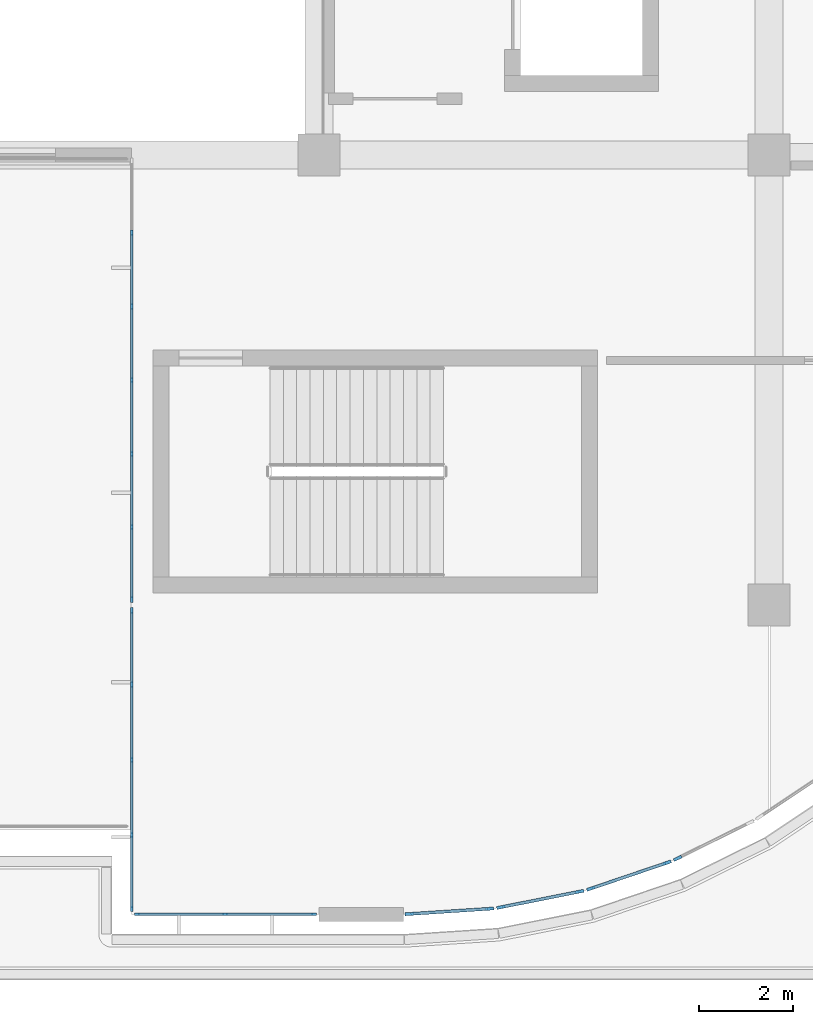
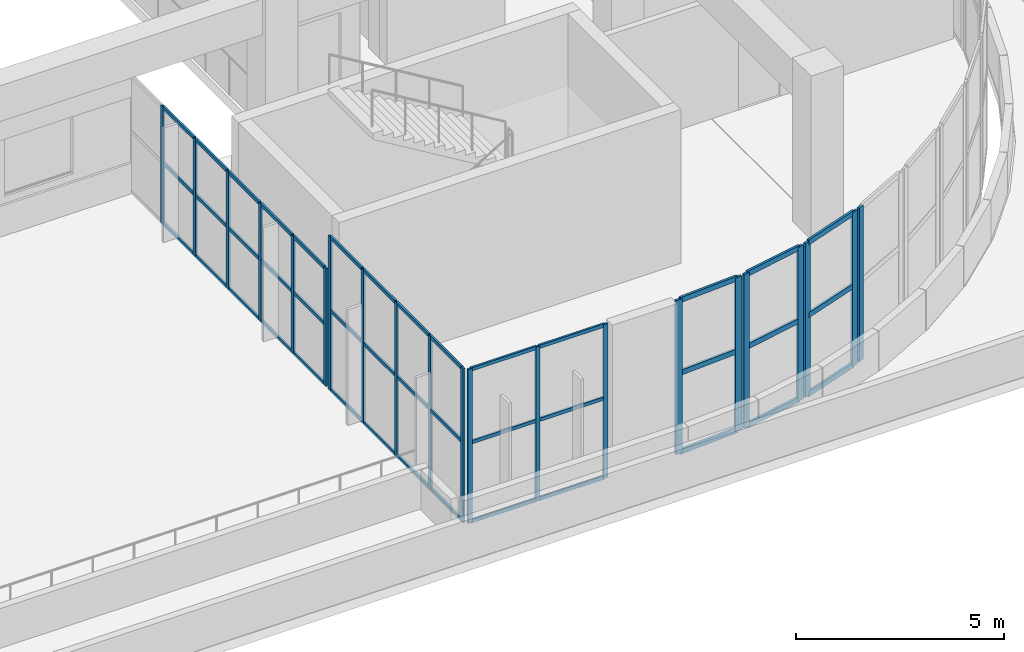
# One storey, part 6 of 96: 63 members, 7 elements without a shape of their own.
"""IFC4 building model written with IfcOpenShell, lengths in metres."""

from ifc_helpers import new_model, si_unit, direction, frame, origin, origin_2d, place, context, subcontext, project, spatial, rectangle, extrude, material, layer, layer_set, material_profile, profile_set, type_object, element, aggregate, save


model = new_model("IFC4")

# Units and contexts
model_context = context("Model", 3, precision=1e-05, world=origin(), true_north=direction((0.0, 1.0)))
body_context = subcontext(model_context, "Body", "Model", "MODEL_VIEW")
ifc_project = project(units=[si_unit("LENGTHUNIT", "METRE"), si_unit("AREAUNIT", "SQUARE_METRE"), si_unit("VOLUMEUNIT", "CUBIC_METRE"), si_unit("PLANEANGLEUNIT", "RADIAN"), si_unit("MASSUNIT", "GRAM", prefix="KILO")], contexts=[model_context])

# Site, building, storey
site_placement = place(None, origin())
site = spatial("IfcSite", under=ifc_project, at=site_placement, CompositionType="ELEMENT")
building_placement = place(site_placement, origin())
building = spatial("IfcBuilding", under=site, at=building_placement, Name="Cendralis Terraced Arcade", CompositionType="ELEMENT")
storey_placement = place(building_placement, frame((0.0, 0.0, 10.199951171875)))
storey = spatial("IfcBuildingStorey", under=building, at=storey_placement, Name="L02", CompositionType="ELEMENT", Elevation=10.199951171875)

# Curtain wall, members
ifc_material = material(Name="Anodised aluminium EN AW-6063 T6", Category="aluminium")
ifc_layer_1 = layer(ifc_material, 0.1201171875, Name="CW-STORE-B")
ifc_layer_set_1 = layer_set([ifc_layer_1], Name="Anodised aluminium EN AW-6063 T6")
curtain_wall_type_1 = type_object("IfcCurtainWallType", Name="CW-STORE-B", PredefinedType="USERDEFINED", material=ifc_layer_set_1)
curtain_wall_1_placement = place(storey_placement, origin())
curtain_wall_1 = element("IfcCurtainWall", 1, at=curtain_wall_1_placement, inside=storey, type_object=curtain_wall_type_1, Name="Exterior Storefront Glazing CW-L02-0204", ObjectType="STOREFRONT GLAZING", PredefinedType="USERDEFINED")
ifc_material_profile_1 = material_profile(ifc_material, rectangle(XDim=0.054931640625, YDim=0.1201171875, at=origin_2d()), Name="ALU-MUL-55x120")
ifc_profile_set_1 = profile_set([ifc_material_profile_1], Name="Anodised aluminium EN AW-6063 T6")
member_type_1 = type_object("IfcMemberType", Name="CW-STORE-B-MUL", PredefinedType="MULLION", material=ifc_profile_set_1)
member_1_placement = place(storey_placement, frame((47.882568359375, 3.0, 0.0), z_axis=(0.0, 0.0, 1.0), x_axis=(0.0, -1.0, 0.0)))
member_1 = element("IfcMember", 2, at=member_1_placement, type_object=member_type_1, Name="CW-S2 mullion 1", PredefinedType="MULLION", context=body_context, shape_type="SweptSolid", body=[
    extrude(rectangle(XDim=0.054931640625, YDim=0.1201171875, at=origin_2d()), origin(), (0.0, 0.0, 1.0), 4.51513671875),
])
member_2_placement = place(storey_placement, frame((46.0, 3.0, 0.0), z_axis=(0.0, 0.0, 1.0), x_axis=(0.0, -1.0, 0.0)))
member_2 = element("IfcMember", 3, at=member_2_placement, type_object=member_type_1, Name="CW-S2 mullion 2", PredefinedType="MULLION", context=body_context, shape_type="SweptSolid", body=[
    extrude(rectangle(XDim=0.054931640625, YDim=0.1201171875, at=origin_2d()), origin(), (0.0, 0.0, 1.0), 4.51513671875),
])
member_3_placement = place(storey_placement, frame((44.117431640625, 3.0, 0.0), z_axis=(0.0, 0.0, 1.0), x_axis=(0.0, -1.0, 0.0)))
member_3 = element("IfcMember", 4, at=member_3_placement, type_object=member_type_1, Name="CW-S2 mullion 3", PredefinedType="MULLION", context=body_context, shape_type="SweptSolid", body=[
    extrude(rectangle(XDim=0.054931640625, YDim=0.1201171875, at=origin_2d()), origin(), (0.0, 0.0, 1.0), 4.51513671875),
])

curtain_wall_2_placement = place(storey_placement, origin())
curtain_wall_2 = element("IfcCurtainWall", 5, at=curtain_wall_2_placement, inside=storey, type_object=curtain_wall_type_1, Name="Exterior Storefront Glazing CW-L02-0205", ObjectType="STOREFRONT GLAZING", PredefinedType="USERDEFINED")
member_4_placement = place(storey_placement, frame((44.0, 3.117431640625, 0.0), z_axis=(0.0, 0.0, 1.0), x_axis=(-1.0, 0.0, 0.0)))
member_4 = element("IfcMember", 6, at=member_4_placement, type_object=member_type_1, Name="CW-S2 mullion 1", PredefinedType="MULLION", context=body_context, shape_type="SweptSolid", body=[
    extrude(rectangle(XDim=0.054931640625, YDim=0.1201171875, at=origin_2d()), origin(), (0.0, 0.0, 1.0), 4.51513671875),
])
member_5_placement = place(storey_placement, frame((44.0, 4.695068359375, 0.0), z_axis=(0.0, 0.0, 1.0), x_axis=(-1.0, 0.0, 0.0)))
member_5 = element("IfcMember", 7, at=member_5_placement, type_object=member_type_1, Name="CW-S2 mullion 2", PredefinedType="MULLION", context=body_context, shape_type="SweptSolid", body=[
    extrude(rectangle(XDim=0.054931640625, YDim=0.1201171875, at=origin_2d()), origin(), (0.0, 0.0, 1.0), 4.51513671875),
])
member_6_placement = place(storey_placement, frame((44.0, 6.300048828125, 0.0), z_axis=(0.0, 0.0, 1.0), x_axis=(-1.0, 0.0, 0.0)))
member_6 = element("IfcMember", 8, at=member_6_placement, type_object=member_type_1, Name="CW-S2 mullion 3", PredefinedType="MULLION", context=body_context, shape_type="SweptSolid", body=[
    extrude(rectangle(XDim=0.054931640625, YDim=0.1201171875, at=origin_2d()), origin(), (0.0, 0.0, 1.0), 4.51513671875),
])
member_7_placement = place(storey_placement, frame((44.0, 7.905029296875, 0.0), z_axis=(0.0, 0.0, 1.0), x_axis=(-1.0, 0.0, 0.0)))
member_7 = element("IfcMember", 9, at=member_7_placement, type_object=member_type_1, Name="CW-S2 mullion 4", PredefinedType="MULLION", context=body_context, shape_type="SweptSolid", body=[
    extrude(rectangle(XDim=0.054931640625, YDim=0.1201171875, at=origin_2d()), origin(), (0.0, 0.0, 1.0), 4.51513671875),
])
member_8_placement = place(storey_placement, frame((44.0, 9.482421875, 0.0), z_axis=(0.0, 0.0, 1.0), x_axis=(-1.0, 0.0, 0.0)))
member_8 = element("IfcMember", 10, at=member_8_placement, type_object=member_type_1, Name="CW-S2 mullion 5", PredefinedType="MULLION", context=body_context, shape_type="SweptSolid", body=[
    extrude(rectangle(XDim=0.054931640625, YDim=0.1201171875, at=origin_2d()), origin(), (0.0, 0.0, 1.0), 4.51513671875),
])

curtain_wall_3_placement = place(storey_placement, origin())
curtain_wall_3 = element("IfcCurtainWall", 11, at=curtain_wall_3_placement, inside=storey, type_object=curtain_wall_type_1, Name="Exterior Storefront Glazing CW-L02-0206", ObjectType="STOREFRONT GLAZING", PredefinedType="USERDEFINED")
member_9_placement = place(storey_placement, frame((44.0, 9.717529296875, 0.0), z_axis=(0.0, 0.0, 1.0), x_axis=(-1.0, 0.0, 0.0)))
member_9 = element("IfcMember", 12, at=member_9_placement, type_object=member_type_1, Name="CW-S2 mullion 1", PredefinedType="MULLION", context=body_context, shape_type="SweptSolid", body=[
    extrude(rectangle(XDim=0.054931640625, YDim=0.1201171875, at=origin_2d()), origin(), (0.0, 0.0, 1.0), 3.455078125),
])
member_10_placement = place(storey_placement, frame((44.0, 11.260009765625, 0.0), z_axis=(0.0, 0.0, 1.0), x_axis=(-1.0, 0.0, 0.0)))
member_10 = element("IfcMember", 13, at=member_10_placement, type_object=member_type_1, Name="CW-S2 mullion 2", PredefinedType="MULLION", context=body_context, shape_type="SweptSolid", body=[
    extrude(rectangle(XDim=0.054931640625, YDim=0.1201171875, at=origin_2d()), origin(), (0.0, 0.0, 1.0), 3.455078125),
])
member_11_placement = place(storey_placement, frame((44.0, 12.830078125, 0.0), z_axis=(0.0, 0.0, 1.0), x_axis=(-1.0, 0.0, 0.0)))
member_11 = element("IfcMember", 14, at=member_11_placement, type_object=member_type_1, Name="CW-S2 mullion 3", PredefinedType="MULLION", context=body_context, shape_type="SweptSolid", body=[
    extrude(rectangle(XDim=0.054931640625, YDim=0.1201171875, at=origin_2d()), origin(), (0.0, 0.0, 1.0), 3.455078125),
])
member_12_placement = place(storey_placement, frame((44.0, 14.39990234375, 0.0), z_axis=(0.0, 0.0, 1.0), x_axis=(-1.0, 0.0, 0.0)))
member_12 = element("IfcMember", 15, at=member_12_placement, type_object=member_type_1, Name="CW-S2 mullion 4", PredefinedType="MULLION", context=body_context, shape_type="SweptSolid", body=[
    extrude(rectangle(XDim=0.054931640625, YDim=0.1201171875, at=origin_2d()), origin(), (0.0, 0.0, 1.0), 3.455078125),
])
member_13_placement = place(storey_placement, frame((44.0, 15.969970703125, 0.0), z_axis=(0.0, 0.0, 1.0), x_axis=(-1.0, 0.0, 0.0)))
member_13 = element("IfcMember", 16, at=member_13_placement, type_object=member_type_1, Name="CW-S2 mullion 5", PredefinedType="MULLION", context=body_context, shape_type="SweptSolid", body=[
    extrude(rectangle(XDim=0.054931640625, YDim=0.1201171875, at=origin_2d()), origin(), (0.0, 0.0, 1.0), 3.455078125),
])
member_14_placement = place(storey_placement, frame((44.0, 17.5400390625, 0.0), z_axis=(0.0, 0.0, 1.0), x_axis=(-1.0, 0.0, 0.0)))
member_14 = element("IfcMember", 17, at=member_14_placement, type_object=member_type_1, Name="CW-S2 mullion 6", PredefinedType="MULLION", context=body_context, shape_type="SweptSolid", body=[
    extrude(rectangle(XDim=0.054931640625, YDim=0.1201171875, at=origin_2d()), origin(), (0.0, 0.0, 1.0), 3.455078125),
])

# Member
ifc_material_profile_2 = material_profile(ifc_material, rectangle(XDim=0.054931640625, YDim=0.10009765625, at=origin_2d()), Name="ALU-TRN-55x100")
ifc_profile_set_2 = profile_set([ifc_material_profile_2], Name="Anodised aluminium EN AW-6063 T6")
member_type_2 = type_object("IfcMemberType", Name="CW-STORE-B-TRN", PredefinedType="USERDEFINED", material=ifc_profile_set_2)
member_15_placement = place(storey_placement, frame((47.85498046875, 3.0, 0.027587890625), z_axis=(-1.0, 0.0, 0.0), x_axis=(0.0, -1.0, 0.0)))
member_15 = element("IfcMember", 18, at=member_15_placement, type_object=member_type_2, Name="CW-S2 transom 1.1", ObjectType="TRANSOM", PredefinedType="USERDEFINED", context=body_context, shape_type="SweptSolid", body=[
    extrude(rectangle(XDim=0.054931640625, YDim=0.10009765625, at=origin_2d()), origin(), (0.0, 0.0, 1.0), 1.827392578125),
])

member_16_placement = place(storey_placement, frame((47.85498046875, 3.0, 2.347900390625), z_axis=(-1.0, 0.0, 0.0), x_axis=(0.0, -1.0, 0.0)))
member_16 = element("IfcMember", 19, at=member_16_placement, type_object=member_type_2, Name="CW-S2 transom 1.2", ObjectType="TRANSOM", PredefinedType="USERDEFINED", context=body_context, shape_type="SweptSolid", body=[
    extrude(rectangle(XDim=0.054931640625, YDim=0.10009765625, at=origin_2d()), origin(), (0.0, 0.0, 1.0), 1.827392578125),
])

member_17_placement = place(storey_placement, frame((47.85498046875, 3.0, 4.487548828125), z_axis=(-1.0, 0.0, 0.0), x_axis=(0.0, -1.0, 0.0)))
member_17 = element("IfcMember", 20, at=member_17_placement, type_object=member_type_2, Name="CW-S2 transom 1.3", ObjectType="TRANSOM", PredefinedType="USERDEFINED", context=body_context, shape_type="SweptSolid", body=[
    extrude(rectangle(XDim=0.054931640625, YDim=0.10009765625, at=origin_2d()), origin(), (0.0, 0.0, 1.0), 1.827392578125),
])

member_18_placement = place(storey_placement, frame((45.972412109375, 3.0, 0.027587890625), z_axis=(-1.0, 0.0, 0.0), x_axis=(0.0, -1.0, 0.0)))
member_18 = element("IfcMember", 21, at=member_18_placement, type_object=member_type_2, Name="CW-S2 transom 2.1", ObjectType="TRANSOM", PredefinedType="USERDEFINED", context=body_context, shape_type="SweptSolid", body=[
    extrude(rectangle(XDim=0.054931640625, YDim=0.10009765625, at=origin_2d()), origin(), (0.0, 0.0, 1.0), 1.827392578125),
])

member_19_placement = place(storey_placement, frame((45.972412109375, 3.0, 2.347900390625), z_axis=(-1.0, 0.0, 0.0), x_axis=(0.0, -1.0, 0.0)))
member_19 = element("IfcMember", 22, at=member_19_placement, type_object=member_type_2, Name="CW-S2 transom 2.2", ObjectType="TRANSOM", PredefinedType="USERDEFINED", context=body_context, shape_type="SweptSolid", body=[
    extrude(rectangle(XDim=0.054931640625, YDim=0.10009765625, at=origin_2d()), origin(), (0.0, 0.0, 1.0), 1.827392578125),
])

member_20_placement = place(storey_placement, frame((45.972412109375, 3.0, 4.487548828125), z_axis=(-1.0, 0.0, 0.0), x_axis=(0.0, -1.0, 0.0)))
member_20 = element("IfcMember", 23, at=member_20_placement, type_object=member_type_2, Name="CW-S2 transom 2.3", ObjectType="TRANSOM", PredefinedType="USERDEFINED", context=body_context, shape_type="SweptSolid", body=[
    extrude(rectangle(XDim=0.054931640625, YDim=0.10009765625, at=origin_2d()), origin(), (0.0, 0.0, 1.0), 1.827392578125),
])

aggregate(curtain_wall_1, [member_1, member_2, member_3, member_15, member_16, member_17, member_18, member_19, member_20])

member_21_placement = place(storey_placement, frame((44.0, 3.14501953125, 0.027587890625), z_axis=(0.0, 1.0, 0.0), x_axis=(-1.0, 0.0, 0.0)))
member_21 = element("IfcMember", 24, at=member_21_placement, type_object=member_type_2, Name="CW-S2 transom 1.1", ObjectType="TRANSOM", PredefinedType="USERDEFINED", context=body_context, shape_type="SweptSolid", body=[
    extrude(rectangle(XDim=0.054931640625, YDim=0.10009765625, at=origin_2d()), origin(), (0.0, 0.0, 1.0), 1.5224609375),
])

member_22_placement = place(storey_placement, frame((44.0, 3.14501953125, 2.347900390625), z_axis=(0.0, 1.0, 0.0), x_axis=(-1.0, 0.0, 0.0)))
member_22 = element("IfcMember", 25, at=member_22_placement, type_object=member_type_2, Name="CW-S2 transom 1.2", ObjectType="TRANSOM", PredefinedType="USERDEFINED", context=body_context, shape_type="SweptSolid", body=[
    extrude(rectangle(XDim=0.054931640625, YDim=0.10009765625, at=origin_2d()), origin(), (0.0, 0.0, 1.0), 1.5224609375),
])

member_23_placement = place(storey_placement, frame((44.0, 3.14501953125, 4.487548828125), z_axis=(0.0, 1.0, 0.0), x_axis=(-1.0, 0.0, 0.0)))
member_23 = element("IfcMember", 26, at=member_23_placement, type_object=member_type_2, Name="CW-S2 transom 1.3", ObjectType="TRANSOM", PredefinedType="USERDEFINED", context=body_context, shape_type="SweptSolid", body=[
    extrude(rectangle(XDim=0.054931640625, YDim=0.10009765625, at=origin_2d()), origin(), (0.0, 0.0, 1.0), 1.5224609375),
])

member_24_placement = place(storey_placement, frame((44.0, 4.722412109375, 0.027587890625), z_axis=(0.0, 1.0, 0.0), x_axis=(-1.0, 0.0, 0.0)))
member_24 = element("IfcMember", 27, at=member_24_placement, type_object=member_type_2, Name="CW-S2 transom 2.1", ObjectType="TRANSOM", PredefinedType="USERDEFINED", context=body_context, shape_type="SweptSolid", body=[
    extrude(rectangle(XDim=0.054931640625, YDim=0.10009765625, at=origin_2d()), origin(), (0.0, 0.0, 1.0), 1.550048828125),
])

member_25_placement = place(storey_placement, frame((44.0, 4.722412109375, 2.347900390625), z_axis=(0.0, 1.0, 0.0), x_axis=(-1.0, 0.0, 0.0)))
member_25 = element("IfcMember", 28, at=member_25_placement, type_object=member_type_2, Name="CW-S2 transom 2.2", ObjectType="TRANSOM", PredefinedType="USERDEFINED", context=body_context, shape_type="SweptSolid", body=[
    extrude(rectangle(XDim=0.054931640625, YDim=0.10009765625, at=origin_2d()), origin(), (0.0, 0.0, 1.0), 1.550048828125),
])

member_26_placement = place(storey_placement, frame((44.0, 4.722412109375, 4.487548828125), z_axis=(0.0, 1.0, 0.0), x_axis=(-1.0, 0.0, 0.0)))
member_26 = element("IfcMember", 29, at=member_26_placement, type_object=member_type_2, Name="CW-S2 transom 2.3", ObjectType="TRANSOM", PredefinedType="USERDEFINED", context=body_context, shape_type="SweptSolid", body=[
    extrude(rectangle(XDim=0.054931640625, YDim=0.10009765625, at=origin_2d()), origin(), (0.0, 0.0, 1.0), 1.550048828125),
])

member_27_placement = place(storey_placement, frame((44.0, 6.327392578125, 0.027587890625), z_axis=(0.0, 1.0, 0.0), x_axis=(-1.0, 0.0, 0.0)))
member_27 = element("IfcMember", 30, at=member_27_placement, type_object=member_type_2, Name="CW-S2 transom 3.1", ObjectType="TRANSOM", PredefinedType="USERDEFINED", context=body_context, shape_type="SweptSolid", body=[
    extrude(rectangle(XDim=0.054931640625, YDim=0.10009765625, at=origin_2d()), origin(), (0.0, 0.0, 1.0), 1.550048828125),
])

member_28_placement = place(storey_placement, frame((44.0, 6.327392578125, 2.347900390625), z_axis=(0.0, 1.0, 0.0), x_axis=(-1.0, 0.0, 0.0)))
member_28 = element("IfcMember", 31, at=member_28_placement, type_object=member_type_2, Name="CW-S2 transom 3.2", ObjectType="TRANSOM", PredefinedType="USERDEFINED", context=body_context, shape_type="SweptSolid", body=[
    extrude(rectangle(XDim=0.054931640625, YDim=0.10009765625, at=origin_2d()), origin(), (0.0, 0.0, 1.0), 1.550048828125),
])

member_29_placement = place(storey_placement, frame((44.0, 6.327392578125, 4.487548828125), z_axis=(0.0, 1.0, 0.0), x_axis=(-1.0, 0.0, 0.0)))
member_29 = element("IfcMember", 32, at=member_29_placement, type_object=member_type_2, Name="CW-S2 transom 3.3", ObjectType="TRANSOM", PredefinedType="USERDEFINED", context=body_context, shape_type="SweptSolid", body=[
    extrude(rectangle(XDim=0.054931640625, YDim=0.10009765625, at=origin_2d()), origin(), (0.0, 0.0, 1.0), 1.550048828125),
])

member_30_placement = place(storey_placement, frame((44.0, 7.9326171875, 0.027587890625), z_axis=(0.0, 1.0, 0.0), x_axis=(-1.0, 0.0, 0.0)))
member_30 = element("IfcMember", 33, at=member_30_placement, type_object=member_type_2, Name="CW-S2 transom 4.1", ObjectType="TRANSOM", PredefinedType="USERDEFINED", context=body_context, shape_type="SweptSolid", body=[
    extrude(rectangle(XDim=0.054931640625, YDim=0.10009765625, at=origin_2d()), origin(), (0.0, 0.0, 1.0), 1.5224609375),
])

member_31_placement = place(storey_placement, frame((44.0, 7.9326171875, 2.347900390625), z_axis=(0.0, 1.0, 0.0), x_axis=(-1.0, 0.0, 0.0)))
member_31 = element("IfcMember", 34, at=member_31_placement, type_object=member_type_2, Name="CW-S2 transom 4.2", ObjectType="TRANSOM", PredefinedType="USERDEFINED", context=body_context, shape_type="SweptSolid", body=[
    extrude(rectangle(XDim=0.054931640625, YDim=0.10009765625, at=origin_2d()), origin(), (0.0, 0.0, 1.0), 1.5224609375),
])

member_32_placement = place(storey_placement, frame((44.0, 7.9326171875, 4.487548828125), z_axis=(0.0, 1.0, 0.0), x_axis=(-1.0, 0.0, 0.0)))
member_32 = element("IfcMember", 35, at=member_32_placement, type_object=member_type_2, Name="CW-S2 transom 4.3", ObjectType="TRANSOM", PredefinedType="USERDEFINED", context=body_context, shape_type="SweptSolid", body=[
    extrude(rectangle(XDim=0.054931640625, YDim=0.10009765625, at=origin_2d()), origin(), (0.0, 0.0, 1.0), 1.5224609375),
])

aggregate(curtain_wall_2, [member_4, member_5, member_6, member_7, member_8, member_21, member_22, member_23, member_24, member_25, member_26, member_27, member_28, member_29, member_30, member_31, member_32])

member_33_placement = place(storey_placement, frame((44.0, 9.7451171875, 0.027587890625), z_axis=(0.0, 1.0, 0.0), x_axis=(-1.0, 0.0, 0.0)))
member_33 = element("IfcMember", 36, at=member_33_placement, type_object=member_type_2, Name="CW-S2 transom 1.1", ObjectType="TRANSOM", PredefinedType="USERDEFINED", context=body_context, shape_type="SweptSolid", body=[
    extrude(rectangle(XDim=0.054931640625, YDim=0.10009765625, at=origin_2d()), origin(), (0.0, 0.0, 1.0), 1.4873046875),
])

member_34_placement = place(storey_placement, frame((44.0, 9.7451171875, 1.796630859375), z_axis=(0.0, 1.0, 0.0), x_axis=(-1.0, 0.0, 0.0)))
member_34 = element("IfcMember", 37, at=member_34_placement, type_object=member_type_2, Name="CW-S2 transom 1.2", ObjectType="TRANSOM", PredefinedType="USERDEFINED", context=body_context, shape_type="SweptSolid", body=[
    extrude(rectangle(XDim=0.054931640625, YDim=0.10009765625, at=origin_2d()), origin(), (0.0, 0.0, 1.0), 1.4873046875),
])

member_35_placement = place(storey_placement, frame((44.0, 9.7451171875, 3.427490234375), z_axis=(0.0, 1.0, 0.0), x_axis=(-1.0, 0.0, 0.0)))
member_35 = element("IfcMember", 38, at=member_35_placement, type_object=member_type_2, Name="CW-S2 transom 1.3", ObjectType="TRANSOM", PredefinedType="USERDEFINED", context=body_context, shape_type="SweptSolid", body=[
    extrude(rectangle(XDim=0.054931640625, YDim=0.10009765625, at=origin_2d()), origin(), (0.0, 0.0, 1.0), 1.4873046875),
])

member_36_placement = place(storey_placement, frame((44.0, 11.28759765625, 0.027587890625), z_axis=(0.0, 1.0, 0.0), x_axis=(-1.0, 0.0, 0.0)))
member_36 = element("IfcMember", 39, at=member_36_placement, type_object=member_type_2, Name="CW-S2 transom 2.1", ObjectType="TRANSOM", PredefinedType="USERDEFINED", context=body_context, shape_type="SweptSolid", body=[
    extrude(rectangle(XDim=0.054931640625, YDim=0.10009765625, at=origin_2d()), origin(), (0.0, 0.0, 1.0), 1.514892578125),
])

member_37_placement = place(storey_placement, frame((44.0, 11.28759765625, 1.796630859375), z_axis=(0.0, 1.0, 0.0), x_axis=(-1.0, 0.0, 0.0)))
member_37 = element("IfcMember", 40, at=member_37_placement, type_object=member_type_2, Name="CW-S2 transom 2.2", ObjectType="TRANSOM", PredefinedType="USERDEFINED", context=body_context, shape_type="SweptSolid", body=[
    extrude(rectangle(XDim=0.054931640625, YDim=0.10009765625, at=origin_2d()), origin(), (0.0, 0.0, 1.0), 1.514892578125),
])

member_38_placement = place(storey_placement, frame((44.0, 11.28759765625, 3.427490234375), z_axis=(0.0, 1.0, 0.0), x_axis=(-1.0, 0.0, 0.0)))
member_38 = element("IfcMember", 41, at=member_38_placement, type_object=member_type_2, Name="CW-S2 transom 2.3", ObjectType="TRANSOM", PredefinedType="USERDEFINED", context=body_context, shape_type="SweptSolid", body=[
    extrude(rectangle(XDim=0.054931640625, YDim=0.10009765625, at=origin_2d()), origin(), (0.0, 0.0, 1.0), 1.514892578125),
])

member_39_placement = place(storey_placement, frame((44.0, 12.857421875, 0.027587890625), z_axis=(0.0, 1.0, 0.0), x_axis=(-1.0, 0.0, 0.0)))
member_39 = element("IfcMember", 42, at=member_39_placement, type_object=member_type_2, Name="CW-S2 transom 3.1", ObjectType="TRANSOM", PredefinedType="USERDEFINED", context=body_context, shape_type="SweptSolid", body=[
    extrude(rectangle(XDim=0.054931640625, YDim=0.10009765625, at=origin_2d()), origin(), (0.0, 0.0, 1.0), 1.51513671875),
])

member_40_placement = place(storey_placement, frame((44.0, 12.857421875, 1.796630859375), z_axis=(0.0, 1.0, 0.0), x_axis=(-1.0, 0.0, 0.0)))
member_40 = element("IfcMember", 43, at=member_40_placement, type_object=member_type_2, Name="CW-S2 transom 3.2", ObjectType="TRANSOM", PredefinedType="USERDEFINED", context=body_context, shape_type="SweptSolid", body=[
    extrude(rectangle(XDim=0.054931640625, YDim=0.10009765625, at=origin_2d()), origin(), (0.0, 0.0, 1.0), 1.51513671875),
])

member_41_placement = place(storey_placement, frame((44.0, 12.857421875, 3.427490234375), z_axis=(0.0, 1.0, 0.0), x_axis=(-1.0, 0.0, 0.0)))
member_41 = element("IfcMember", 44, at=member_41_placement, type_object=member_type_2, Name="CW-S2 transom 3.3", ObjectType="TRANSOM", PredefinedType="USERDEFINED", context=body_context, shape_type="SweptSolid", body=[
    extrude(rectangle(XDim=0.054931640625, YDim=0.10009765625, at=origin_2d()), origin(), (0.0, 0.0, 1.0), 1.51513671875),
])

member_42_placement = place(storey_placement, frame((44.0, 14.427490234375, 0.027587890625), z_axis=(0.0, 1.0, 0.0), x_axis=(-1.0, 0.0, 0.0)))
member_42 = element("IfcMember", 45, at=member_42_placement, type_object=member_type_2, Name="CW-S2 transom 4.1", ObjectType="TRANSOM", PredefinedType="USERDEFINED", context=body_context, shape_type="SweptSolid", body=[
    extrude(rectangle(XDim=0.054931640625, YDim=0.10009765625, at=origin_2d()), origin(), (0.0, 0.0, 1.0), 1.514892578125),
])

member_43_placement = place(storey_placement, frame((44.0, 14.427490234375, 1.796630859375), z_axis=(0.0, 1.0, 0.0), x_axis=(-1.0, 0.0, 0.0)))
member_43 = element("IfcMember", 46, at=member_43_placement, type_object=member_type_2, Name="CW-S2 transom 4.2", ObjectType="TRANSOM", PredefinedType="USERDEFINED", context=body_context, shape_type="SweptSolid", body=[
    extrude(rectangle(XDim=0.054931640625, YDim=0.10009765625, at=origin_2d()), origin(), (0.0, 0.0, 1.0), 1.514892578125),
])

member_44_placement = place(storey_placement, frame((44.0, 14.427490234375, 3.427490234375), z_axis=(0.0, 1.0, 0.0), x_axis=(-1.0, 0.0, 0.0)))
member_44 = element("IfcMember", 47, at=member_44_placement, type_object=member_type_2, Name="CW-S2 transom 4.3", ObjectType="TRANSOM", PredefinedType="USERDEFINED", context=body_context, shape_type="SweptSolid", body=[
    extrude(rectangle(XDim=0.054931640625, YDim=0.10009765625, at=origin_2d()), origin(), (0.0, 0.0, 1.0), 1.514892578125),
])

member_45_placement = place(storey_placement, frame((44.0, 15.99755859375, 0.027587890625), z_axis=(0.0, 1.0, 0.0), x_axis=(-1.0, 0.0, 0.0)))
member_45 = element("IfcMember", 48, at=member_45_placement, type_object=member_type_2, Name="CW-S2 transom 5.1", ObjectType="TRANSOM", PredefinedType="USERDEFINED", context=body_context, shape_type="SweptSolid", body=[
    extrude(rectangle(XDim=0.054931640625, YDim=0.10009765625, at=origin_2d()), origin(), (0.0, 0.0, 1.0), 1.514892578125),
])

member_46_placement = place(storey_placement, frame((44.0, 15.99755859375, 1.796630859375), z_axis=(0.0, 1.0, 0.0), x_axis=(-1.0, 0.0, 0.0)))
member_46 = element("IfcMember", 49, at=member_46_placement, type_object=member_type_2, Name="CW-S2 transom 5.2", ObjectType="TRANSOM", PredefinedType="USERDEFINED", context=body_context, shape_type="SweptSolid", body=[
    extrude(rectangle(XDim=0.054931640625, YDim=0.10009765625, at=origin_2d()), origin(), (0.0, 0.0, 1.0), 1.514892578125),
])

member_47_placement = place(storey_placement, frame((44.0, 15.99755859375, 3.427490234375), z_axis=(0.0, 1.0, 0.0), x_axis=(-1.0, 0.0, 0.0)))
member_47 = element("IfcMember", 50, at=member_47_placement, type_object=member_type_2, Name="CW-S2 transom 5.3", ObjectType="TRANSOM", PredefinedType="USERDEFINED", context=body_context, shape_type="SweptSolid", body=[
    extrude(rectangle(XDim=0.054931640625, YDim=0.10009765625, at=origin_2d()), origin(), (0.0, 0.0, 1.0), 1.514892578125),
])

aggregate(curtain_wall_3, [member_9, member_10, member_11, member_12, member_13, member_14, member_33, member_34, member_35, member_36, member_37, member_38, member_39, member_40, member_41, member_42, member_43, member_44, member_45, member_46, member_47])

# Curtain wall, member
ifc_layer_2 = layer(ifc_material, 0.179931640625, Name="CW-UNIT-A")
ifc_layer_set_2 = layer_set([ifc_layer_2], Name="Anodised aluminium EN AW-6063 T6")
curtain_wall_type_2 = type_object("IfcCurtainWallType", Name="CW-UNIT-A", PredefinedType="USERDEFINED", material=ifc_layer_set_2)
curtain_wall_4_placement = place(storey_placement, origin())
curtain_wall_4 = element("IfcCurtainWall", 51, at=curtain_wall_4_placement, inside=storey, type_object=curtain_wall_type_2, Name="Exterior Unitised Facade CW-L02-0200", ObjectType="UNITISED FACADE", PredefinedType="USERDEFINED")
ifc_material_profile_3 = material_profile(ifc_material, rectangle(XDim=0.06494140625, YDim=0.179931640625, at=origin_2d()), Name="ALU-MUL-65x180")
ifc_profile_set_3 = profile_set([ifc_material_profile_3], Name="Anodised aluminium EN AW-6063 T6")
member_type_3 = type_object("IfcMemberType", Name="CW-UNIT-A-MUL", PredefinedType="MULLION", material=ifc_profile_set_3)
member_48_placement = place(storey_placement, frame((55.650146484375, 4.196044921875, 0.0), z_axis=(0.0, 0.0, 1.0), x_axis=(0.442291247495, -0.896871480419, 0.0)))
member_48 = element("IfcMember", 52, at=member_48_placement, type_object=member_type_3, Name="CW-U1 mullion 2", PredefinedType="MULLION", context=body_context, shape_type="SweptSolid", body=[
    extrude(rectangle(XDim=0.06494140625, YDim=0.179931640625, at=origin_2d()), origin(), (0.0, 0.0, 1.0), 4.51513671875),
])
aggregate(curtain_wall_4, [member_48])

# Curtain wall, members
curtain_wall_5_placement = place(storey_placement, origin())
curtain_wall_5 = element("IfcCurtainWall", 53, at=curtain_wall_5_placement, inside=storey, type_object=curtain_wall_type_2, Name="Exterior Unitised Facade CW-L02-0201", ObjectType="UNITISED FACADE", PredefinedType="USERDEFINED")
member_49_placement = place(storey_placement, frame((55.42431640625, 4.1025390625, 0.0), z_axis=(0.0, 0.0, 1.0), x_axis=(0.321458077458, -0.946923811316, 0.0)))
member_49 = element("IfcMember", 54, at=member_49_placement, type_object=member_type_3, Name="CW-U1 mullion 1", PredefinedType="MULLION", context=body_context, shape_type="SweptSolid", body=[
    extrude(rectangle(XDim=0.06494140625, YDim=0.179931640625, at=origin_2d()), origin(), (0.0, 0.0, 1.0), 4.51513671875),
])
member_50_placement = place(storey_placement, frame((53.79833984375, 3.550537109375, 0.0), z_axis=(0.0, 0.0, 1.0), x_axis=(0.321458077458, -0.946923811316, 0.0)))
member_50 = element("IfcMember", 55, at=member_50_placement, type_object=member_type_3, Name="CW-U1 mullion 2", PredefinedType="MULLION", context=body_context, shape_type="SweptSolid", body=[
    extrude(rectangle(XDim=0.06494140625, YDim=0.179931640625, at=origin_2d()), origin(), (0.0, 0.0, 1.0), 4.51513671875),
])

curtain_wall_6_placement = place(storey_placement, origin())
curtain_wall_6 = element("IfcCurtainWall", 56, at=curtain_wall_6_placement, inside=storey, type_object=curtain_wall_type_2, Name="Exterior Unitised Facade CW-L02-0202", ObjectType="UNITISED FACADE", PredefinedType="USERDEFINED")
member_51_placement = place(storey_placement, frame((53.56201171875, 3.487060546875, 0.0), z_axis=(0.0, 0.0, 1.0), x_axis=(0.195058454434, -0.980791618721, 0.0)))
member_51 = element("IfcMember", 57, at=member_51_placement, type_object=member_type_3, Name="CW-U1 mullion 1", PredefinedType="MULLION", context=body_context, shape_type="SweptSolid", body=[
    extrude(rectangle(XDim=0.06494140625, YDim=0.179931640625, at=origin_2d()), origin(), (0.0, 0.0, 1.0), 4.51513671875),
])
member_52_placement = place(storey_placement, frame((51.878173828125, 3.15234375, 0.0), z_axis=(0.0, 0.0, 1.0), x_axis=(0.195058454434, -0.980791618721, 0.0)))
member_52 = element("IfcMember", 58, at=member_52_placement, type_object=member_type_3, Name="CW-U1 mullion 2", PredefinedType="MULLION", context=body_context, shape_type="SweptSolid", body=[
    extrude(rectangle(XDim=0.06494140625, YDim=0.179931640625, at=origin_2d()), origin(), (0.0, 0.0, 1.0), 4.51513671875),
])

curtain_wall_7_placement = place(storey_placement, origin())
curtain_wall_7 = element("IfcCurtainWall", 59, at=curtain_wall_7_placement, inside=storey, type_object=curtain_wall_type_2, Name="Exterior Unitised Facade CW-L02-0203", ObjectType="UNITISED FACADE", PredefinedType="USERDEFINED")
member_53_placement = place(storey_placement, frame((51.6357421875, 3.120361328125, 0.0), z_axis=(0.0, 0.0, 1.0), x_axis=(0.065371873798, -0.997860971336, 0.0)))
member_53 = element("IfcMember", 60, at=member_53_placement, type_object=member_type_3, Name="CW-U1 mullion 1", PredefinedType="MULLION", context=body_context, shape_type="SweptSolid", body=[
    extrude(rectangle(XDim=0.06494140625, YDim=0.179931640625, at=origin_2d()), origin(), (0.0, 0.0, 1.0), 4.51513671875),
])
member_54_placement = place(storey_placement, frame((49.922119140625, 3.008056640625, 0.0), z_axis=(0.0, 0.0, 1.0), x_axis=(0.065371873798, -0.997860971336, 0.0)))
member_54 = element("IfcMember", 61, at=member_54_placement, type_object=member_type_3, Name="CW-U1 mullion 2", PredefinedType="MULLION", context=body_context, shape_type="SweptSolid", body=[
    extrude(rectangle(XDim=0.06494140625, YDim=0.179931640625, at=origin_2d()), origin(), (0.0, 0.0, 1.0), 4.51513671875),
])

# Member
ifc_material_profile_4 = material_profile(ifc_material, rectangle(XDim=0.06494140625, YDim=0.14990234375, at=origin_2d()), Name="ALU-TRN-65x150")
ifc_profile_set_4 = profile_set([ifc_material_profile_4], Name="Anodised aluminium EN AW-6063 T6")
member_type_4 = type_object("IfcMemberType", Name="CW-UNIT-A-TRN", PredefinedType="USERDEFINED", material=ifc_profile_set_4)
member_55_placement = place(storey_placement, frame((55.3935546875, 4.092041015625, 0.032470703125), z_axis=(-0.94689517137, -0.321542430228, 0.0), x_axis=(0.321542430228, -0.94689517137, 0.0)))
member_55 = element("IfcMember", 62, at=member_55_placement, type_object=member_type_4, Name="CW-U1 transom 1.1", ObjectType="TRANSOM", PredefinedType="USERDEFINED", context=body_context, shape_type="SweptSolid", body=[
    extrude(rectangle(XDim=0.06494140625, YDim=0.14990234375, at=origin_2d()), origin(), (0.0, 0.0, 1.0), 1.652099609375),
])

member_56_placement = place(storey_placement, frame((55.3935546875, 4.092041015625, 2.347900390625), z_axis=(-0.94689517137, -0.321542430228, 0.0), x_axis=(0.321542430228, -0.94689517137, 0.0)))
member_56 = element("IfcMember", 63, at=member_56_placement, type_object=member_type_4, Name="CW-U1 transom 1.2", ObjectType="TRANSOM", PredefinedType="USERDEFINED", context=body_context, shape_type="SweptSolid", body=[
    extrude(rectangle(XDim=0.06494140625, YDim=0.14990234375, at=origin_2d()), origin(), (0.0, 0.0, 1.0), 1.652099609375),
])

member_57_placement = place(storey_placement, frame((55.3935546875, 4.092041015625, 4.482666015625), z_axis=(-0.94689517137, -0.321542430228, 0.0), x_axis=(0.321542430228, -0.94689517137, 0.0)))
member_57 = element("IfcMember", 64, at=member_57_placement, type_object=member_type_4, Name="CW-U1 transom 1.3", ObjectType="TRANSOM", PredefinedType="USERDEFINED", context=body_context, shape_type="SweptSolid", body=[
    extrude(rectangle(XDim=0.06494140625, YDim=0.14990234375, at=origin_2d()), origin(), (0.0, 0.0, 1.0), 1.652099609375),
])

aggregate(curtain_wall_5, [member_49, member_50, member_55, member_56, member_57])

member_58_placement = place(storey_placement, frame((53.5302734375, 3.480712890625, 0.032470703125), z_axis=(-0.980818671452, -0.194922378732, 0.0), x_axis=(0.194922378732, -0.980818671452, 0.0)))
member_58 = element("IfcMember", 65, at=member_58_placement, type_object=member_type_4, Name="CW-U1 transom 1.1", ObjectType="TRANSOM", PredefinedType="USERDEFINED", context=body_context, shape_type="SweptSolid", body=[
    extrude(rectangle(XDim=0.06494140625, YDim=0.14990234375, at=origin_2d()), origin(), (0.0, 0.0, 1.0), 1.652099609375),
])

member_59_placement = place(storey_placement, frame((53.5302734375, 3.480712890625, 2.347900390625), z_axis=(-0.980818671452, -0.194922378732, 0.0), x_axis=(0.194922378732, -0.980818671452, 0.0)))
member_59 = element("IfcMember", 66, at=member_59_placement, type_object=member_type_4, Name="CW-U1 transom 1.2", ObjectType="TRANSOM", PredefinedType="USERDEFINED", context=body_context, shape_type="SweptSolid", body=[
    extrude(rectangle(XDim=0.06494140625, YDim=0.14990234375, at=origin_2d()), origin(), (0.0, 0.0, 1.0), 1.652099609375),
])

member_60_placement = place(storey_placement, frame((53.5302734375, 3.480712890625, 4.482666015625), z_axis=(-0.980818671452, -0.194922378732, 0.0), x_axis=(0.194922378732, -0.980818671452, 0.0)))
member_60 = element("IfcMember", 67, at=member_60_placement, type_object=member_type_4, Name="CW-U1 transom 1.3", ObjectType="TRANSOM", PredefinedType="USERDEFINED", context=body_context, shape_type="SweptSolid", body=[
    extrude(rectangle(XDim=0.06494140625, YDim=0.14990234375, at=origin_2d()), origin(), (0.0, 0.0, 1.0), 1.652099609375),
])

aggregate(curtain_wall_6, [member_51, member_52, member_58, member_59, member_60])

member_61_placement = place(storey_placement, frame((51.603271484375, 3.1181640625, 0.032470703125), z_axis=(-0.997864850039, -0.065312640858, 0.0), x_axis=(0.065312640858, -0.997864850039, 0.0)))
member_61 = element("IfcMember", 68, at=member_61_placement, type_object=member_type_4, Name="CW-U1 transom 1.1", ObjectType="TRANSOM", PredefinedType="USERDEFINED", context=body_context, shape_type="SweptSolid", body=[
    extrude(rectangle(XDim=0.06494140625, YDim=0.14990234375, at=origin_2d()), origin(), (0.0, 0.0, 1.0), 1.652099609375),
])

member_62_placement = place(storey_placement, frame((51.603271484375, 3.1181640625, 2.347900390625), z_axis=(-0.997864850039, -0.065312640858, 0.0), x_axis=(0.065312640858, -0.997864850039, 0.0)))
member_62 = element("IfcMember", 69, at=member_62_placement, type_object=member_type_4, Name="CW-U1 transom 1.2", ObjectType="TRANSOM", PredefinedType="USERDEFINED", context=body_context, shape_type="SweptSolid", body=[
    extrude(rectangle(XDim=0.06494140625, YDim=0.14990234375, at=origin_2d()), origin(), (0.0, 0.0, 1.0), 1.652099609375),
])

member_63_placement = place(storey_placement, frame((51.603271484375, 3.1181640625, 4.482666015625), z_axis=(-0.997864850039, -0.065312640858, 0.0), x_axis=(0.065312640858, -0.997864850039, 0.0)))
member_63 = element("IfcMember", 70, at=member_63_placement, type_object=member_type_4, Name="CW-U1 transom 1.3", ObjectType="TRANSOM", PredefinedType="USERDEFINED", context=body_context, shape_type="SweptSolid", body=[
    extrude(rectangle(XDim=0.06494140625, YDim=0.14990234375, at=origin_2d()), origin(), (0.0, 0.0, 1.0), 1.652099609375),
])

aggregate(curtain_wall_7, [member_53, member_54, member_61, member_62, member_63])

save(model, "model.ifc")
